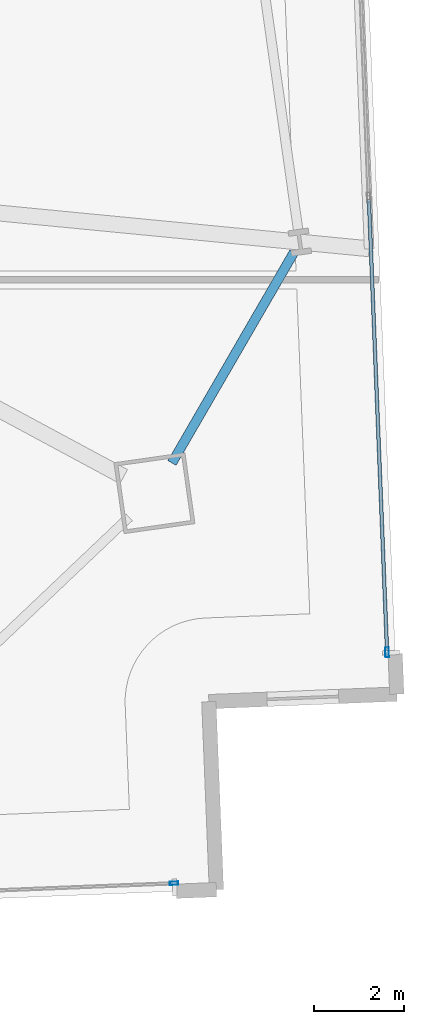
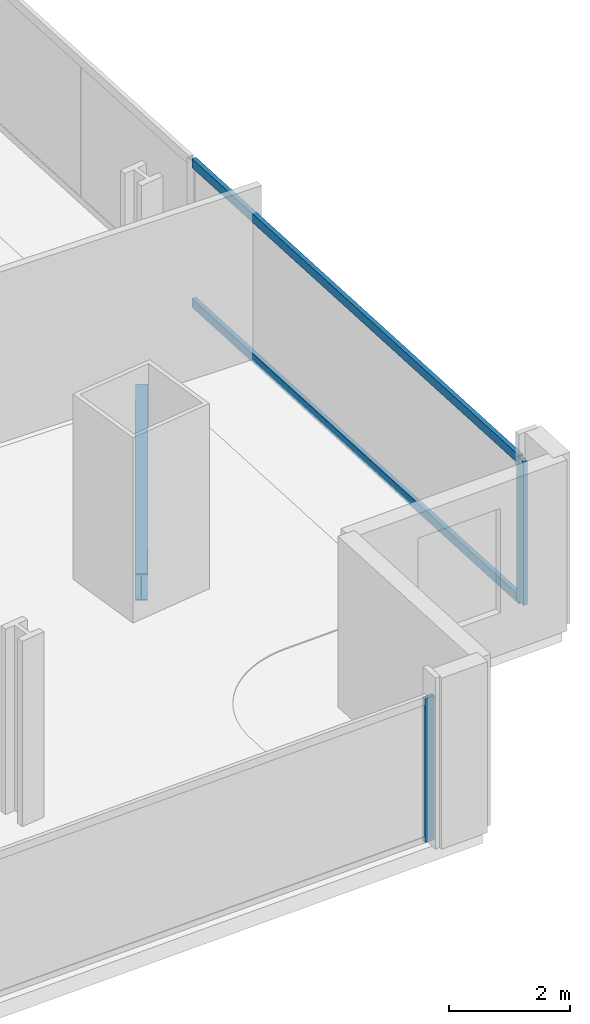
# One storey, part 11 of 32: 4 members, 1 beam, 2 elements without a shape of their own.
"""IFC4 building model written with IfcOpenShell, lengths in metres."""

from ifc_helpers import new_model, si_unit, direction, frame, origin, origin_2d, place, context, subcontext, project, spatial, hollow_rectangle, i_section, extrude, material, material_profile, profile_set, type_object, element, aggregate, save


model = new_model("IFC4")

# Units and contexts
model_context = context("Model", 3, precision=1e-05, world=origin(), true_north=direction((0.0, 1.0)))
body_context = subcontext(model_context, "Body", "Model", "MODEL_VIEW")
ifc_project = project(units=[si_unit("LENGTHUNIT", "METRE"), si_unit("AREAUNIT", "SQUARE_METRE"), si_unit("VOLUMEUNIT", "CUBIC_METRE"), si_unit("PLANEANGLEUNIT", "RADIAN"), si_unit("MASSUNIT", "GRAM", prefix="KILO")], contexts=[model_context])

# Site, building, storey
site_placement = place(None, origin())
site = spatial("IfcSite", under=ifc_project, at=site_placement, CompositionType="ELEMENT")
building_placement = place(site_placement, origin())
building = spatial("IfcBuilding", under=site, at=building_placement, Name="Haldenkirk Collegiate Tower", CompositionType="ELEMENT")
storey_placement = place(building_placement, frame((0.0, 0.0, 36.449951171875)))
storey = spatial("IfcBuildingStorey", under=building, at=storey_placement, Name="L07", CompositionType="ELEMENT", Elevation=36.449951171875)

# Beam
ifc_material_1 = material(Name="Steel ASTM A992 Grade 50", Category="steel")
ifc_material_profile_1 = material_profile(ifc_material_1, i_section(OverallWidth=0.2119140625, OverallDepth=0.5439453125, WebThickness=0.01318359375, FlangeThickness=0.021240234375, at=origin_2d()), Name="W21X83")
ifc_profile_set_1 = profile_set([ifc_material_profile_1], Name="Steel ASTM A992 Grade 50")
beam_type = type_object("IfcBeamType", Name="BM-SPANDREL-W21X83", PredefinedType="SPANDREL", material=ifc_profile_set_1)
beam_placement = place(storey_placement, frame((58.7919921875, 11.462158203125, -0.58203125), z_axis=(0.50120629055, 0.865327830543, 0.0), x_axis=(-0.865327830543, 0.50120629055, 0.0)))
element("IfcBeam", 1, at=beam_placement, inside=storey, type_object=beam_type, Name="L07 perimeter spandrel beam 05", PredefinedType="SPANDREL", context=body_context, shape_type="SweptSolid", body=[
    extrude(i_section(OverallWidth=0.2119140625, OverallDepth=0.5439453125, WebThickness=0.01318359375, FlangeThickness=0.021240234375, at=origin_2d()), origin(), (0.0, 0.0, 1.0), 5.43359375),
])

# Curtain wall, member
ifc_material_2 = material(Name="Anodised architectural bronze aluminium", Category="aluminium")
curtain_wall_type_1 = type_object("IfcCurtainWallType", Name="CW-SYS2-CONCAVE", PredefinedType="USERDEFINED", material=ifc_material_2)
curtain_wall_1_placement = place(storey_placement, origin())
curtain_wall_1 = element("IfcCurtainWall", 2, at=curtain_wall_1_placement, inside=storey, type_object=curtain_wall_type_1, Name="L07 South concave recessed bronze-anodised curtain wall", ObjectType="UNITISED CURTAIN WALL", PredefinedType="USERDEFINED")
ifc_material_profile_2 = material_profile(ifc_material_2, hollow_rectangle(XDim=0.074951171875, YDim=0.18994140625, WallThickness=0.0048828125, at=origin_2d()), Name="CW-MUL-02")
ifc_profile_set_2 = profile_set([ifc_material_profile_2], Name="Anodised architectural bronze aluminium")
member_type_1 = type_object("IfcMemberType", Name="CW-MUL-02", PredefinedType="MULLION", material=ifc_profile_set_2)
member_1_placement = place(storey_placement, frame((58.8408203125, 2.077392578125, 0.0), z_axis=(0.0, 0.0, 1.0), x_axis=(0.040132523917, -0.999194365739, 0.0)))
member_1 = element("IfcMember", 3, at=member_1_placement, type_object=member_type_1, Name="CW-02 mullion 1", PredefinedType="MULLION", context=body_context, shape_type="SweptSolid", body=[
    extrude(hollow_rectangle(XDim=0.074951171875, YDim=0.18994140625, WallThickness=0.0048828125, at=origin_2d()), origin(), (0.0, 0.0, 1.0), 2.89111328125),
])
aggregate(curtain_wall_1, [member_1])

# Curtain wall, members
curtain_wall_type_2 = type_object("IfcCurtainWallType", Name="CW-SYS1-CONVEX-LOW", PredefinedType="USERDEFINED", material=ifc_material_2)
curtain_wall_2_placement = place(storey_placement, origin())
curtain_wall_2 = element("IfcCurtainWall", 4, at=curtain_wall_2_placement, inside=storey, type_object=curtain_wall_type_2, Name="L07 Lower tower convex bronze-framed unitised curtain wall", ObjectType="UNITISED CURTAIN WALL", PredefinedType="USERDEFINED")
ifc_material_profile_3 = material_profile(ifc_material_2, hollow_rectangle(XDim=0.080078125, YDim=0.219970703125, WallThickness=0.0048828125, at=origin_2d()), Name="CW-MUL-1A")
ifc_profile_set_3 = profile_set([ifc_material_profile_3], Name="Anodised architectural bronze aluminium")
member_type_2 = type_object("IfcMemberType", Name="CW-MUL-1A", PredefinedType="MULLION", material=ifc_profile_set_3)
member_2_placement = place(storey_placement, frame((63.595458984375, 7.232421875, 0.0), z_axis=(0.0, 0.0, 1.0), x_axis=(0.999194371406, 0.040132382816, 0.0)))
member_2 = element("IfcMember", 5, at=member_2_placement, type_object=member_type_2, Name="CW-1A mullion 5", PredefinedType="MULLION", context=body_context, shape_type="SweptSolid", body=[
    extrude(hollow_rectangle(XDim=0.080078125, YDim=0.219970703125, WallThickness=0.0048828125, at=origin_2d()), origin(), (0.0, 0.0, 1.0), 2.89111328125),
])
ifc_material_profile_4 = material_profile(ifc_material_2, hollow_rectangle(XDim=0.080078125, YDim=0.179931640625, WallThickness=0.0048828125, at=origin_2d()), Name="CW-TRN-1A")
ifc_profile_set_4 = profile_set([ifc_material_profile_4], Name="Anodised architectural bronze aluminium")
member_type_3 = type_object("IfcMemberType", Name="CW-TRN-1A", PredefinedType="USERDEFINED", material=ifc_profile_set_4)
member_3_placement = place(storey_placement, frame((63.189208984375, 17.34423828125, 0.0400390625), z_axis=(0.04013247043, -0.999194367887, 0.0), x_axis=(0.999194367887, 0.04013247043, 0.0)))
member_3 = element("IfcMember", 6, at=member_3_placement, type_object=member_type_3, Name="CW-1A transom 4.1", ObjectType="TRANSOM", PredefinedType="USERDEFINED", context=body_context, shape_type="SweptSolid", body=[
    extrude(hollow_rectangle(XDim=0.080078125, YDim=0.179931640625, WallThickness=0.0048828125, at=origin_2d()), origin(), (0.0, 0.0, 1.0), 10.080078125),
])
member_4_placement = place(storey_placement, frame((63.189208984375, 17.34423828125, 2.85107421875), z_axis=(0.04013247043, -0.999194367887, 0.0), x_axis=(0.999194367887, 0.04013247043, 0.0)))
member_4 = element("IfcMember", 7, at=member_4_placement, type_object=member_type_3, Name="CW-1A transom 4.2", ObjectType="TRANSOM", PredefinedType="USERDEFINED", context=body_context, shape_type="SweptSolid", body=[
    extrude(hollow_rectangle(XDim=0.080078125, YDim=0.179931640625, WallThickness=0.0048828125, at=origin_2d()), origin(), (0.0, 0.0, 1.0), 10.080078125),
])
aggregate(curtain_wall_2, [member_2, member_3, member_4])

save(model, "model.ifc")
